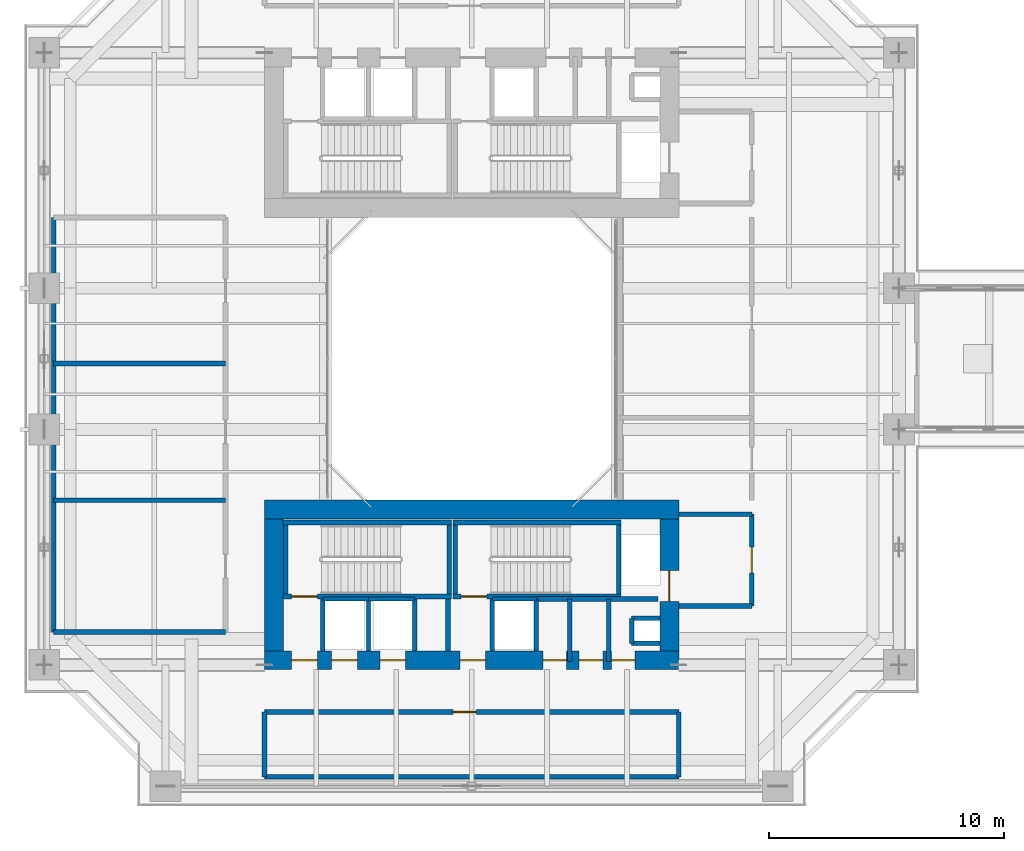
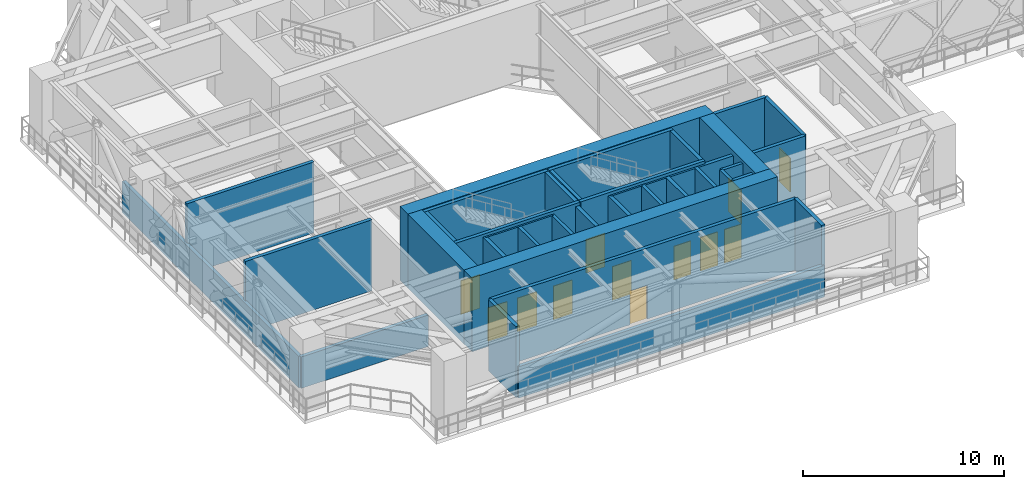
# One storey, part 17 of 25: 38 walls, 12 doors, 12 openings.
"""IFC4 building model written with IfcOpenShell, lengths in metres."""

from ifc_helpers import new_model, si_unit, direction, frame, frame_2d, origin, place, context, subcontext, project, spatial, rectangle, extrude, source, transform, mapped, material, layer, layer_set, type_object, element, fill, save


model = new_model("IFC4")

# Units and contexts
model_context = context("Model", 3, precision=1e-05, world=origin(), true_north=direction((0.0, 1.0)))
body_context = subcontext(model_context, "Body", "Model", "MODEL_VIEW")
ifc_project = project(units=[si_unit("LENGTHUNIT", "METRE"), si_unit("AREAUNIT", "SQUARE_METRE"), si_unit("VOLUMEUNIT", "CUBIC_METRE"), si_unit("PLANEANGLEUNIT", "RADIAN"), si_unit("MASSUNIT", "GRAM", prefix="KILO"), si_unit("THERMODYNAMICTEMPERATUREUNIT", "KELVIN"), si_unit("POWERUNIT", "WATT")], contexts=[model_context])

# Site, building, storey
site_placement = place(None, origin())
site = spatial("IfcSite", under=ifc_project, at=site_placement, CompositionType="ELEMENT")
building_placement = place(site_placement, origin())
building = spatial("IfcBuilding", under=site, at=building_placement, Name="Qiaomeng Ring Towers", CompositionType="ELEMENT")
storey_placement = place(building_placement, frame((0.0, 0.0, 92.5)))
storey = spatial("IfcBuildingStorey", under=building, at=storey_placement, Name="L26", CompositionType="ELEMENT", Elevation=92.5)

# Walls
ifc_material_1 = material(Name="Autoclaved aerated concrete block", Category="concrete")
ifc_layer_1 = layer(ifc_material_1, 0.199951171875, Name="Autoclaved aerated concrete block")
ifc_layer_set_1 = layer_set([ifc_layer_1], Name="Autoclaved aerated concrete block")
wall_type_1 = type_object("IfcWallType", Name="ARC-WL-PW1", PredefinedType="PARTITIONING", material=ifc_layer_set_1)
for number, where, z_axis, x_axis, name in (
    (1, (27.800048828125, 16.39990234375, 0.0), (0.0, 0.0, 1.0), (1.0, 0.0, 0.0), "L26 Interior Wall PW1"),
    (2, (27.800048828125, 12.5, 0.0), (0.0, 0.0, 1.0), (1.0, 0.0, 0.0), "L26 Interior Wall PW1"),
):
    element("IfcWall", number, at=place(storey_placement, frame(where, z_axis=z_axis, x_axis=x_axis)), inside=storey, type_object=wall_type_1, Name=name, PredefinedType="PARTITIONING", context=body_context, shape_type="SweptSolid", body=[
        extrude(rectangle(XDim=3.099853515625, YDim=0.199951171875, at=frame_2d((1.5498046875, 0.0))), origin(), (0.0, 0.0, 1.0), 4.320068359375),
    ])

# Wall, opening, door
wall_1_placement = place(storey_placement, frame((30.89990234375, 12.5, 0.0), z_axis=(0.0, 0.0, 1.0), x_axis=(0.0, 1.0, 0.0)))
wall_1 = element("IfcWall", 3, at=wall_1_placement, inside=storey, type_object=wall_type_1, Name="L26 Interior Wall PW1", PredefinedType="PARTITIONING", context=body_context, shape_type="SweptSolid", body=[
    extrude(rectangle(XDim=3.89990234375, YDim=0.199951171875, at=frame_2d((1.949951171875, 0.0))), origin(), (0.0, 0.0, 1.0), 4.320068359375),
])
opening_1_placement = place(wall_1_placement, frame((1.39990234375, 0.0, 0.0)))
opening_1 = element("IfcOpeningElement", 4, at=opening_1_placement, cuts=wall_1, Name="Opening FD3", PredefinedType="OPENING", context=body_context, shape_type="SweptSolid", body=[
    extrude(rectangle(XDim=1.10009765625, YDim=2.050048828125, at=frame_2d((0.550048828125, 1.02490234375))), frame((0.0, 0.10986328125, 0.0), z_axis=(0.0, -1.0, 0.0), x_axis=(1.0, 0.0, 0.0)), (0.0, 0.0, 1.0), 0.219970703125),
])
ifc_material_2 = material(Name="Galvanised steel", Category="steel")
door_type_1 = type_object("IfcDoorType", Name="ARC-DR-FD3", OperationType="NOTDEFINED", PredefinedType="DOOR", material=ifc_material_2)
shared_shape_1 = source(origin(), body_context, "Body", "SweptSolid", [
    extrude(rectangle(XDim=1.10009765625, YDim=2.050048828125, at=frame_2d((0.550048828125, 1.02490234375))), frame((0.0, 0.02490234375, 0.0), z_axis=(0.0, -1.0, 0.0), x_axis=(1.0, 0.0, 0.0)), (0.0, 0.0, 1.0), 0.050048828125),
])
door_1_placement = place(opening_1_placement, origin())
door_1 = element("IfcDoor", 5, at=door_1_placement, inside=storey, type_object=door_type_1, Name="L26 South FF Lobby Door", OperationType="SINGLE_SWING_RIGHT", OverallHeight=2.050048828125, OverallWidth=1.10009765625, PredefinedType="DOOR", context=body_context, shape_type="MappedRepresentation", body=[
    mapped(shared_shape_1, transform((0.0, 0.0, 0.0), x_axis=(1.0, 0.0, 0.0), y_axis=(0.0, 1.0, 0.0), z_axis=(0.0, 0.0, 1.0), scale=1.0)),
])
fill(opening_1, door_1)

# Walls
for number, where, z_axis, x_axis, name in (
    (6, (12.679931640625, 10.60009765625, 0.0), (0.0, 0.0, 1.0), (0.0, 1.0, 0.0), "L26 Interior Wall PW1"),
    (7, (18.0, 10.60009765625, 0.0), (0.0, 0.0, 1.0), (0.0, 1.0, 0.0), "L26 Interior Wall PW1"),
    (8, (19.8798828125, 10.60009765625, 0.0), (0.0, 0.0, 1.0), (0.0, 1.0, 0.0), "L26 Interior Wall PW1"),
):
    element("IfcWall", number, at=place(storey_placement, frame(where, z_axis=z_axis, x_axis=x_axis)), inside=storey, type_object=wall_type_1, Name=name, PredefinedType="PARTITIONING", context=body_context, shape_type="SweptSolid", body=[
        extrude(rectangle(XDim=2.2099609375, YDim=0.199951171875, at=frame_2d((1.10498046875, 0.0))), origin(), (0.0, 0.0, 1.0), 4.320068359375),
    ])
wall_2_placement = place(storey_placement, frame((24.820068359375, 10.14990234375, 0.0), z_axis=(0.0, 0.0, 1.0), x_axis=(0.0, 1.0, 0.0)))
element("IfcWall", 9, at=wall_2_placement, inside=storey, type_object=wall_type_1, Name="L26 Interior Wall PW1", PredefinedType="PARTITIONING", context=body_context, shape_type="SweptSolid", body=[
    extrude(rectangle(XDim=2.650146484375, YDim=0.199951171875, at=frame_2d((1.3251953125, 0.0))), origin(), (0.0, 0.0, 1.0), 4.320068359375),
])
wall_3_placement = place(storey_placement, frame((21.75, 10.60009765625, 0.0), z_axis=(0.0, 0.0, 1.0), x_axis=(0.0, 1.0, 0.0)))
element("IfcWall", 10, at=wall_3_placement, inside=storey, type_object=wall_type_1, Name="L26 Interior Wall PW1", PredefinedType="PARTITIONING", context=body_context, shape_type="SweptSolid", body=[
    extrude(rectangle(XDim=2.199951171875, YDim=0.199951171875, at=frame_2d((1.10009765625, 0.0))), origin(), (0.0, 0.0, 1.0), 4.320068359375),
])
wall_4_placement = place(storey_placement, frame((23.169921875, 10.14990234375, 0.0), z_axis=(0.0, 0.0, 1.0), x_axis=(0.0, 1.0, 0.0)))
element("IfcWall", 11, at=wall_4_placement, inside=storey, type_object=wall_type_1, Name="L26 Interior Wall PW1", PredefinedType="PARTITIONING", context=body_context, shape_type="SweptSolid", body=[
    extrude(rectangle(XDim=2.650146484375, YDim=0.199951171875, at=frame_2d((1.3251953125, 0.0))), origin(), (0.0, 0.0, 1.0), 4.320068359375),
])
wall_5_placement = place(storey_placement, frame((21.75, 12.800048828125, 0.0), z_axis=(0.0, 0.0, 1.0), x_axis=(1.0, 0.0, 0.0)))
element("IfcWall", 12, at=wall_5_placement, inside=storey, type_object=wall_type_1, Name="L26 Interior Wall PW1", PredefinedType="PARTITIONING", context=body_context, shape_type="SweptSolid", body=[
    extrude(rectangle(XDim=5.169921875, YDim=0.199951171875, at=frame_2d((2.5849609375, 0.0))), origin(), (0.0, 0.0, 1.0), 4.320068359375),
])

# Wall, opening, door
wall_6_placement = place(storey_placement, frame((10.199951171875, 8.0, 0.0), z_axis=(0.0, 0.0, 1.0), x_axis=(1.0, 0.0, 0.0)))
wall_6 = element("IfcWall", 13, at=wall_6_placement, inside=storey, type_object=wall_type_1, Name="L26 Interior Wall PW1", PredefinedType="PARTITIONING", context=body_context, shape_type="SweptSolid", body=[
    extrude(rectangle(XDim=17.60009765625, YDim=0.199951171875, at=frame_2d((8.800048828125, 0.0))), origin(), (0.0, 0.0, 1.0), 4.320068359375),
])
opening_2_placement = place(wall_6_placement, frame((8.0, 0.0, 0.0)))
opening_2 = element("IfcOpeningElement", 14, at=opening_2_placement, cuts=wall_6, Name="Opening FD1", PredefinedType="OPENING", context=body_context, shape_type="SweptSolid", body=[
    extrude(rectangle(XDim=1.0, YDim=2.050048828125, at=frame_2d((0.5, 1.02490234375))), frame((0.0, 0.10986328125, 0.0), z_axis=(0.0, -1.0, 0.0), x_axis=(1.0, 0.0, 0.0)), (0.0, 0.0, 1.0), 0.219970703125),
])
door_type_2 = type_object("IfcDoorType", Name="ARC-DR-FD1", OperationType="NOTDEFINED", PredefinedType="DOOR", material=ifc_material_2)
shared_shape_2 = source(origin(), body_context, "Body", "SweptSolid", [
    extrude(rectangle(XDim=1.0, YDim=2.050048828125, at=frame_2d((0.5, 1.02490234375))), frame((0.0, 0.02490234375, 0.0), z_axis=(0.0, -1.0, 0.0), x_axis=(1.0, 0.0, 0.0)), (0.0, 0.0, 1.0), 0.050048828125),
])
door_2_placement = place(opening_2_placement, origin())
door_2 = element("IfcDoor", 15, at=door_2_placement, inside=storey, type_object=door_type_2, Name="L26 Door FD1", OperationType="SINGLE_SWING_RIGHT", OverallHeight=2.050048828125, OverallWidth=1.0, PredefinedType="DOOR", context=body_context, shape_type="MappedRepresentation", body=[
    mapped(shared_shape_2, transform((0.0, 0.0, 0.0), x_axis=(1.0, 0.0, 0.0), y_axis=(0.0, 1.0, 0.0), z_axis=(0.0, 0.0, 1.0), scale=1.0)),
])
fill(opening_2, door_2)

# Walls
wall_7_placement = place(storey_placement, frame((1.25, 11.39990234375, 0.0), z_axis=(0.0, 0.0, 1.0), x_axis=(1.0, 0.0, 0.0)))
element("IfcWall", 16, at=wall_7_placement, inside=storey, type_object=wall_type_1, Name="L26 Interior Wall PW1", PredefinedType="PARTITIONING", context=body_context, shape_type="SweptSolid", body=[
    extrude(rectangle(XDim=7.300048828125, YDim=0.199951171875, at=frame_2d((3.64990234375, 0.0))), origin(), (0.0, 0.0, 1.0), 1.9150390625),
])
for number, where, z_axis, x_axis, name in (
    (17, (1.25, 17.0, 0.0), (0.0, 0.0, 1.0), (1.0, 0.0, 0.0), "L26 Interior Wall PW1"),
    (18, (1.25, 22.800048828125, 0.0), (0.0, 0.0, 1.0), (1.0, 0.0, 0.0), "L26 Interior Wall PW1"),
):
    element("IfcWall", number, at=place(storey_placement, frame(where, z_axis=z_axis, x_axis=x_axis)), inside=storey, type_object=wall_type_1, Name=name, PredefinedType="PARTITIONING", context=body_context, shape_type="SweptSolid", body=[
        extrude(rectangle(XDim=7.300048828125, YDim=0.199951171875, at=frame_2d((3.64990234375, 0.0))), origin(), (0.0, 0.0, 1.0), 4.320068359375),
    ])
wall_8_placement = place(storey_placement, frame((1.25, 11.39990234375, 0.0), z_axis=(0.0, 0.0, 1.0), x_axis=(0.0, 1.0, 0.0)))
element("IfcWall", 19, at=wall_8_placement, inside=storey, type_object=wall_type_1, Name="L26 Interior Wall PW1", PredefinedType="PARTITIONING", context=body_context, shape_type="SweptSolid", body=[
    extrude(rectangle(XDim=17.60009765625, YDim=0.199951171875, at=frame_2d((8.800048828125, 0.0))), origin(), (0.0, 0.0, 1.0), 1.9150390625),
])
for number, where, z_axis, x_axis, name in (
    (20, (10.199951171875, 5.25, 0.0), (0.0, 0.0, 1.0), (0.0, 1.0, 0.0), "L26 Interior Wall PW1"),
    (21, (27.800048828125, 5.25, 0.0), (0.0, 0.0, 1.0), (0.0, 1.0, 0.0), "L26 Interior Wall PW1"),
):
    element("IfcWall", number, at=place(storey_placement, frame(where, z_axis=z_axis, x_axis=x_axis)), inside=storey, type_object=wall_type_1, Name=name, PredefinedType="PARTITIONING", context=body_context, shape_type="SweptSolid", body=[
        extrude(rectangle(XDim=2.75, YDim=0.199951171875, at=frame_2d((1.375, 0.0))), origin(), (0.0, 0.0, 1.0), 4.320068359375),
    ])
wall_9_placement = place(storey_placement, frame((10.199951171875, 5.25, 0.0), z_axis=(0.0, 0.0, 1.0), x_axis=(1.0, 0.0, 0.0)))
element("IfcWall", 22, at=wall_9_placement, inside=storey, type_object=wall_type_1, Name="L26 Interior Wall PW1", PredefinedType="PARTITIONING", context=body_context, shape_type="SweptSolid", body=[
    extrude(rectangle(XDim=17.60009765625, YDim=0.199951171875, at=frame_2d((8.800048828125, 0.0))), origin(), (0.0, 0.0, 1.0), 1.9150390625),
])
ifc_material_3 = material(Name="Concrete C40", Category="concrete")
ifc_layer_2 = layer(ifc_material_3, 0.199951171875, Name="Concrete C40")
ifc_layer_set_2 = layer_set([ifc_layer_2], Name="Concrete C40")
wall_type_2 = type_object("IfcWallType", Name="STR-WL-STSHAFT", PredefinedType="SHEAR", material=ifc_layer_set_2)
wall_10_placement = place(storey_placement, frame((12.679931640625, 12.800048828125, 0.0), z_axis=(0.0, 0.0, 1.0), x_axis=(1.0, 0.0, 0.0)))
element("IfcWall", 23, at=wall_10_placement, inside=storey, type_object=wall_type_2, Name="L26 Lift LP6 Shaft Back Wall", PredefinedType="SHEAR", context=body_context, shape_type="SweptSolid", body=[
    extrude(rectangle(XDim=1.940185546875, YDim=0.179931640625, at=frame_2d((0.97021484375, 0.0))), origin(), (0.0, 0.0, 1.0), 4.320068359375),
])
wall_11_placement = place(storey_placement, frame((14.6201171875, 10.60009765625, 0.0), z_axis=(0.0, 0.0, 1.0), x_axis=(0.0, 1.0, 0.0)))
element("IfcWall", 24, at=wall_11_placement, inside=storey, type_object=wall_type_2, Name="L26 Lift LP6-LP4 Shaft Divider Wall", PredefinedType="SHEAR", context=body_context, shape_type="SweptSolid", body=[
    extrude(rectangle(XDim=2.199951171875, YDim=0.179931640625, at=frame_2d((1.10009765625, 0.0))), origin(), (0.0, 0.0, 1.0), 4.320068359375),
])
wall_12_placement = place(storey_placement, frame((25.800048828125, 10.919921875, 0.0), z_axis=(0.0, 0.0, 1.0), x_axis=(0.0, 1.0, 0.0)))
element("IfcWall", 25, at=wall_12_placement, inside=storey, type_object=wall_type_2, Name="L26 Riser RSR1 West Shaft Wall S", PredefinedType="SHEAR", context=body_context, shape_type="SweptSolid", body=[
    extrude(rectangle(XDim=1.06005859375, YDim=0.179931640625, at=frame_2d((0.530029296875, 0.0))), origin(), (0.0, 0.0, 1.0), 4.320068359375),
])
for number, where, z_axis, x_axis, name in (
    (26, (25.800048828125, 11.97998046875, 0.0), (0.0, 0.0, 1.0), (1.0, 0.0, 0.0), "L26 Riser RSR1 North Shaft Wall S"),
    (27, (25.800048828125, 10.919921875, 0.0), (0.0, 0.0, 1.0), (1.0, 0.0, 0.0), "L26 Riser RSR1 South Shaft Wall S"),
):
    element("IfcWall", number, at=place(storey_placement, frame(where, z_axis=z_axis, x_axis=x_axis)), inside=storey, type_object=wall_type_2, Name=name, PredefinedType="SHEAR", context=body_context, shape_type="SweptSolid", body=[
        extrude(rectangle(XDim=1.199951171875, YDim=0.179931640625, at=frame_2d((0.60009765625, 0.0))), origin(), (0.0, 0.0, 1.0), 4.320068359375),
    ])
wall_13_placement = place(storey_placement, frame((14.6201171875, 12.800048828125, 0.0), z_axis=(0.0, 0.0, 1.0), x_axis=(1.0, 0.0, 0.0)))
element("IfcWall", 28, at=wall_13_placement, inside=storey, type_object=wall_type_2, Name="L26 Lift LP4 Shaft Back Wall", PredefinedType="SHEAR", context=body_context, shape_type="SweptSolid", body=[
    extrude(rectangle(XDim=1.9599609375, YDim=0.179931640625, at=frame_2d((0.97998046875, 0.0))), origin(), (0.0, 0.0, 1.0), 4.320068359375),
])
wall_14_placement = place(storey_placement, frame((16.580078125, 10.60009765625, 0.0), z_axis=(0.0, 0.0, 1.0), x_axis=(0.0, 1.0, 0.0)))
element("IfcWall", 29, at=wall_14_placement, inside=storey, type_object=wall_type_2, Name="L26 Lift LP4 East Shaft Wall", PredefinedType="SHEAR", context=body_context, shape_type="SweptSolid", body=[
    extrude(rectangle(XDim=2.199951171875, YDim=0.179931640625, at=frame_2d((1.10009765625, 0.0))), origin(), (0.0, 0.0, 1.0), 4.320068359375),
])
wall_15_placement = place(storey_placement, frame((19.8798828125, 12.800048828125, 0.0), z_axis=(0.0, 0.0, 1.0), x_axis=(1.0, 0.0, 0.0)))
element("IfcWall", 30, at=wall_15_placement, inside=storey, type_object=wall_type_2, Name="L26 Lift LP2 Shaft Back Wall", PredefinedType="SHEAR", context=body_context, shape_type="SweptSolid", body=[
    extrude(rectangle(XDim=1.8701171875, YDim=0.179931640625, at=frame_2d((0.93505859375, 0.0))), origin(), (0.0, 0.0, 1.0), 4.320068359375),
])

# Wall, opening, door
wall_16_placement = place(storey_placement, frame((11.0, 12.909912109375, 0.0), z_axis=(0.0, 0.0, 1.0), x_axis=(1.0, 0.0, 0.0)))
wall_16 = element("IfcWall", 31, at=wall_16_placement, inside=storey, type_object=wall_type_2, Name="L26 Stair ST3 South Shaft Shear Wall", PredefinedType="SHEAR", context=body_context, shape_type="SweptSolid", body=[
    extrude(rectangle(XDim=7.14990234375, YDim=0.199951171875, at=frame_2d((3.574951171875, 0.0))), origin(), (0.0, 0.0, 1.0), 4.5),
])
opening_3_placement = place(wall_16_placement, frame((0.35009765625, 0.0, 0.0)))
opening_3 = element("IfcOpeningElement", 32, at=opening_3_placement, cuts=wall_16, Name="Opening FD3", PredefinedType="OPENING", context=body_context, shape_type="SweptSolid", body=[
    extrude(rectangle(XDim=1.10009765625, YDim=2.050048828125, at=frame_2d((0.550048828125, 1.02490234375))), frame((0.0, 0.10986328125, 0.0), z_axis=(0.0, -1.0, 0.0), x_axis=(1.0, 0.0, 0.0)), (0.0, 0.0, 1.0), 0.219970703125),
])
door_3_placement = place(opening_3_placement, frame((1.10009765625, 0.0, 0.0), z_axis=(0.0, 0.0, 1.0), x_axis=(-1.0, 0.0, 0.0)))
door_3 = element("IfcDoor", 33, at=door_3_placement, inside=storey, type_object=door_type_1, Name="L26 Stair ST3 Exit Door", OperationType="SINGLE_SWING_RIGHT", OverallHeight=2.050048828125, OverallWidth=1.10009765625, PredefinedType="DOOR", context=body_context, shape_type="MappedRepresentation", body=[
    mapped(shared_shape_1, transform((0.0, 0.0, 0.0), x_axis=(1.0, 0.0, 0.0), y_axis=(0.0, 1.0, 0.0), z_axis=(0.0, 0.0, 1.0), scale=1.0)),
])
fill(opening_3, door_3)

# Walls
wall_17_placement = place(storey_placement, frame((11.0, 16.050048828125, 0.0), z_axis=(0.0, 0.0, 1.0), x_axis=(1.0, 0.0, 0.0)))
element("IfcWall", 34, at=wall_17_placement, inside=storey, type_object=wall_type_2, Name="L26 Stair ST3 North Shaft Shear Wall", PredefinedType="SHEAR", context=body_context, shape_type="SweptSolid", body=[
    extrude(rectangle(XDim=7.14990234375, YDim=0.199951171875, at=frame_2d((3.574951171875, 0.0))), origin(), (0.0, 0.0, 1.0), 4.5),
])
for number, where, z_axis, x_axis, name in (
    (35, (11.10009765625, 13.010009765625, 0.0), (0.0, 0.0, 1.0), (0.0, 1.0, 0.0), "L26 Stair ST3 West Shaft Shear Wall"),
    (36, (18.050048828125, 13.010009765625, 0.0), (0.0, 0.0, 1.0), (0.0, 1.0, 0.0), "L26 Stair ST3 East Shaft Shear Wall"),
):
    element("IfcWall", number, at=place(storey_placement, frame(where, z_axis=z_axis, x_axis=x_axis)), inside=storey, type_object=wall_type_2, Name=name, PredefinedType="SHEAR", context=body_context, shape_type="SweptSolid", body=[
        extrude(rectangle(XDim=2.93994140625, YDim=0.199951171875, at=frame_2d((1.469970703125, 0.0))), origin(), (0.0, 0.0, 1.0), 4.5),
    ])

# Wall, opening, door
wall_18_placement = place(storey_placement, frame((18.199951171875, 12.909912109375, 0.0), z_axis=(0.0, 0.0, 1.0), x_axis=(1.0, 0.0, 0.0)))
wall_18 = element("IfcWall", 37, at=wall_18_placement, inside=storey, type_object=wall_type_2, Name="L26 Stair ST4 South Shaft Shear Wall", PredefinedType="SHEAR", context=body_context, shape_type="SweptSolid", body=[
    extrude(rectangle(XDim=7.150146484375, YDim=0.199951171875, at=frame_2d((3.5751953125, 0.0))), origin(), (0.0, 0.0, 1.0), 4.5),
])
opening_4_placement = place(wall_18_placement, frame((0.35009765625, 0.0, 0.0)))
opening_4 = element("IfcOpeningElement", 38, at=opening_4_placement, cuts=wall_18, Name="Opening FD3", PredefinedType="OPENING", context=body_context, shape_type="SweptSolid", body=[
    extrude(rectangle(XDim=1.10009765625, YDim=2.050048828125, at=frame_2d((0.550048828125, 1.02490234375))), frame((0.0, 0.10986328125, 0.0), z_axis=(0.0, -1.0, 0.0), x_axis=(1.0, 0.0, 0.0)), (0.0, 0.0, 1.0), 0.219970703125),
])
door_4_placement = place(opening_4_placement, frame((1.10009765625, 0.0, 0.0), z_axis=(0.0, 0.0, 1.0), x_axis=(-1.0, 0.0, 0.0)))
door_4 = element("IfcDoor", 39, at=door_4_placement, inside=storey, type_object=door_type_1, Name="L26 Stair ST4 Exit Door", OperationType="SINGLE_SWING_RIGHT", OverallHeight=2.050048828125, OverallWidth=1.10009765625, PredefinedType="DOOR", context=body_context, shape_type="MappedRepresentation", body=[
    mapped(shared_shape_1, transform((0.0, 0.0, 0.0), x_axis=(1.0, 0.0, 0.0), y_axis=(0.0, 1.0, 0.0), z_axis=(0.0, 0.0, 1.0), scale=1.0)),
])
fill(opening_4, door_4)

# Walls
wall_19_placement = place(storey_placement, frame((18.199951171875, 16.050048828125, 0.0), z_axis=(0.0, 0.0, 1.0), x_axis=(1.0, 0.0, 0.0)))
element("IfcWall", 40, at=wall_19_placement, inside=storey, type_object=wall_type_2, Name="L26 Stair ST4 North Shaft Shear Wall", PredefinedType="SHEAR", context=body_context, shape_type="SweptSolid", body=[
    extrude(rectangle(XDim=7.150146484375, YDim=0.199951171875, at=frame_2d((3.5751953125, 0.0))), origin(), (0.0, 0.0, 1.0), 4.5),
])
for number, where, z_axis, x_axis, name in (
    (41, (18.300048828125, 13.010009765625, 0.0), (0.0, 0.0, 1.0), (0.0, 1.0, 0.0), "L26 Stair ST4 West Shaft Shear Wall"),
    (42, (25.25, 13.010009765625, 0.0), (0.0, 0.0, 1.0), (0.0, 1.0, 0.0), "L26 Stair ST4 East Shaft Shear Wall"),
):
    element("IfcWall", number, at=place(storey_placement, frame(where, z_axis=z_axis, x_axis=x_axis)), inside=storey, type_object=wall_type_2, Name=name, PredefinedType="SHEAR", context=body_context, shape_type="SweptSolid", body=[
        extrude(rectangle(XDim=2.93994140625, YDim=0.199951171875, at=frame_2d((1.469970703125, 0.0))), origin(), (0.0, 0.0, 1.0), 4.5),
    ])

# Wall, openings, doors
ifc_material_4 = material(Name="Concrete C60", Category="concrete")
ifc_layer_3 = layer(ifc_material_4, 0.800048828125, Name="Concrete C60")
ifc_layer_set_3 = layer_set([ifc_layer_3], Name="Concrete C60")
wall_type_3 = type_object("IfcWallType", Name="STR-WL-SW1", PredefinedType="SHEAR", material=ifc_layer_set_3)
wall_20_placement = place(storey_placement, frame((10.199951171875, 10.199951171875, 0.0), z_axis=(0.0, 0.0, 1.0), x_axis=(1.0, 0.0, 0.0)))
wall_20 = element("IfcWall", 43, at=wall_20_placement, inside=storey, type_object=wall_type_3, Name="L26 T1SC south core shear wall", PredefinedType="SHEAR", context=body_context, shape_type="SweptSolid", body=[
    extrude(rectangle(XDim=17.60009765625, YDim=0.800048828125, at=frame_2d((8.800048828125, 0.0))), origin(), (0.0, 0.0, 1.0), 4.5),
])
opening_5_placement = place(wall_20_placement, frame((1.14990234375, 0.0, 0.0)))
opening_5 = element("IfcOpeningElement", 44, at=opening_5_placement, cuts=wall_20, Name="Opening FD3", PredefinedType="OPENING", context=body_context, shape_type="SweptSolid", body=[
    extrude(rectangle(XDim=1.10009765625, YDim=2.050048828125, at=frame_2d((0.550048828125, 1.02490234375))), frame((0.0, 0.409912109375, 0.0), z_axis=(0.0, -1.0, 0.0), x_axis=(1.0, 0.0, 0.0)), (0.0, 0.0, 1.0), 0.820068359375),
])
opening_6_placement = place(wall_20_placement, frame((8.300048828125, 0.0, 0.0)))
opening_6 = element("IfcOpeningElement", 45, at=opening_6_placement, cuts=wall_20, Name="Opening FD3", PredefinedType="OPENING", context=body_context, shape_type="SweptSolid", body=[
    extrude(rectangle(XDim=1.10009765625, YDim=2.050048828125, at=frame_2d((0.550048828125, 1.02490234375))), frame((0.0, 0.409912109375, 0.0), z_axis=(0.0, -1.0, 0.0), x_axis=(1.0, 0.0, 0.0)), (0.0, 0.0, 1.0), 0.820068359375),
])
opening_7_placement = place(wall_20_placement, frame((4.89990234375, 0.0, 0.0)))
opening_7 = element("IfcOpeningElement", 46, at=opening_7_placement, cuts=wall_20, Name="Opening LD1", PredefinedType="OPENING", context=body_context, shape_type="SweptSolid", body=[
    extrude(rectangle(XDim=1.10009765625, YDim=2.050048828125, at=frame_2d((0.550048828125, 1.02490234375))), frame((0.0, 0.409912109375, 0.0), z_axis=(0.0, -1.0, 0.0), x_axis=(1.0, 0.0, 0.0)), (0.0, 0.0, 1.0), 0.820068359375),
])
opening_8_placement = place(wall_20_placement, frame((2.85009765625, 0.0, 0.0)))
opening_8 = element("IfcOpeningElement", 47, at=opening_8_placement, cuts=wall_20, Name="Opening LD1", PredefinedType="OPENING", context=body_context, shape_type="SweptSolid", body=[
    extrude(rectangle(XDim=1.10009765625, YDim=2.050048828125, at=frame_2d((0.550048828125, 1.02490234375))), frame((0.0, 0.409912109375, 0.0), z_axis=(0.0, -1.0, 0.0), x_axis=(1.0, 0.0, 0.0)), (0.0, 0.0, 1.0), 0.820068359375),
])
opening_9_placement = place(wall_20_placement, frame((14.739990234375, 0.0, 0.0)))
opening_9 = element("IfcOpeningElement", 48, at=opening_9_placement, cuts=wall_20, Name="Opening FD1", PredefinedType="OPENING", context=body_context, shape_type="SweptSolid", body=[
    extrude(rectangle(XDim=1.0, YDim=2.050048828125, at=frame_2d((0.5, 1.02490234375))), frame((0.0, 0.409912109375, 0.0), z_axis=(0.0, -1.0, 0.0), x_axis=(1.0, 0.0, 0.0)), (0.0, 0.0, 1.0), 0.820068359375),
])
opening_10_placement = place(wall_20_placement, frame((11.8349609375, 0.0, 0.0)))
opening_10 = element("IfcOpeningElement", 49, at=opening_10_placement, cuts=wall_20, Name="Opening FD1", PredefinedType="OPENING", context=body_context, shape_type="SweptSolid", body=[
    extrude(rectangle(XDim=1.0, YDim=2.050048828125, at=frame_2d((0.5, 1.02490234375))), frame((0.0, 0.409912109375, 0.0), z_axis=(0.0, -1.0, 0.0), x_axis=(1.0, 0.0, 0.0)), (0.0, 0.0, 1.0), 0.820068359375),
])
opening_11_placement = place(wall_20_placement, frame((13.3701171875, 0.0, 0.0)))
opening_11 = element("IfcOpeningElement", 50, at=opening_11_placement, cuts=wall_20, Name="Opening FD1", PredefinedType="OPENING", context=body_context, shape_type="SweptSolid", body=[
    extrude(rectangle(XDim=1.0, YDim=2.050048828125, at=frame_2d((0.5, 1.02490234375))), frame((0.0, 0.409912109375, 0.0), z_axis=(0.0, -1.0, 0.0), x_axis=(1.0, 0.0, 0.0)), (0.0, 0.0, 1.0), 0.820068359375),
])
door_5_placement = place(opening_5_placement, origin())
door_5 = element("IfcDoor", 51, at=door_5_placement, inside=storey, type_object=door_type_1, Name="L26 Stair ST3 Lobby Door", OperationType="SINGLE_SWING_LEFT", OverallHeight=2.050048828125, OverallWidth=1.10009765625, PredefinedType="DOOR", context=body_context, shape_type="MappedRepresentation", body=[
    mapped(shared_shape_1, transform((0.0, 0.0, 0.0), x_axis=(1.0, 0.0, 0.0), y_axis=(0.0, 1.0, 0.0), z_axis=(0.0, 0.0, 1.0), scale=1.0)),
])
fill(opening_5, door_5)
door_6_placement = place(opening_6_placement, origin())
door_6 = element("IfcDoor", 52, at=door_6_placement, inside=storey, type_object=door_type_1, Name="L26 Stair ST4 Lobby Door", OperationType="SINGLE_SWING_LEFT", OverallHeight=2.050048828125, OverallWidth=1.10009765625, PredefinedType="DOOR", context=body_context, shape_type="MappedRepresentation", body=[
    mapped(shared_shape_1, transform((0.0, 0.0, 0.0), x_axis=(1.0, 0.0, 0.0), y_axis=(0.0, 1.0, 0.0), z_axis=(0.0, 0.0, 1.0), scale=1.0)),
])
fill(opening_6, door_6)
ifc_material_5 = material(Name="Stainless steel 316", Category="steel")
door_type_3 = type_object("IfcDoorType", Name="ARC-DR-LD1", OperationType="NOTDEFINED", PredefinedType="DOOR", material=ifc_material_5)
door_7_placement = place(opening_7_placement, origin())
door_7 = element("IfcDoor", 53, at=door_7_placement, inside=storey, type_object=door_type_3, Name="L26 Mid-Zone Lift LP4 Landing Door", OperationType="SLIDING_TO_RIGHT", OverallHeight=2.050048828125, OverallWidth=1.10009765625, PredefinedType="DOOR", context=body_context, shape_type="MappedRepresentation", body=[
    mapped(shared_shape_1, transform((0.0, 0.0, 0.0), x_axis=(1.0, 0.0, 0.0), y_axis=(0.0, 1.0, 0.0), z_axis=(0.0, 0.0, 1.0), scale=1.0)),
])
fill(opening_7, door_7)
door_8_placement = place(opening_8_placement, origin())
door_8 = element("IfcDoor", 54, at=door_8_placement, inside=storey, type_object=door_type_3, Name="L26 High-Zone Lift LP6 Landing Door", OperationType="SLIDING_TO_RIGHT", OverallHeight=2.050048828125, OverallWidth=1.10009765625, PredefinedType="DOOR", context=body_context, shape_type="MappedRepresentation", body=[
    mapped(shared_shape_1, transform((0.0, 0.0, 0.0), x_axis=(1.0, 0.0, 0.0), y_axis=(0.0, 1.0, 0.0), z_axis=(0.0, 0.0, 1.0), scale=1.0)),
])
fill(opening_8, door_8)
door_9_placement = place(opening_9_placement, origin())
door_9 = element("IfcDoor", 55, at=door_9_placement, inside=storey, type_object=door_type_2, Name="L26 South Electrical Riser Door", OperationType="SINGLE_SWING_RIGHT", OverallHeight=2.050048828125, OverallWidth=1.0, PredefinedType="DOOR", context=body_context, shape_type="MappedRepresentation", body=[
    mapped(shared_shape_2, transform((0.0, 0.0, 0.0), x_axis=(1.0, 0.0, 0.0), y_axis=(0.0, 1.0, 0.0), z_axis=(0.0, 0.0, 1.0), scale=1.0)),
])
fill(opening_9, door_9)
door_10_placement = place(opening_10_placement, origin())
door_10 = element("IfcDoor", 56, at=door_10_placement, inside=storey, type_object=door_type_2, Name="L26 South Cleaners Cupboard Door", OperationType="SINGLE_SWING_LEFT", OverallHeight=2.050048828125, OverallWidth=1.0, PredefinedType="DOOR", context=body_context, shape_type="MappedRepresentation", body=[
    mapped(shared_shape_2, transform((0.0, 0.0, 0.0), x_axis=(1.0, 0.0, 0.0), y_axis=(0.0, 1.0, 0.0), z_axis=(0.0, 0.0, 1.0), scale=1.0)),
])
fill(opening_10, door_10)
door_11_placement = place(opening_11_placement, origin())
door_11 = element("IfcDoor", 57, at=door_11_placement, inside=storey, type_object=door_type_2, Name="L26 South Tea Pantry Door", OperationType="SINGLE_SWING_RIGHT", OverallHeight=2.050048828125, OverallWidth=1.0, PredefinedType="DOOR", context=body_context, shape_type="MappedRepresentation", body=[
    mapped(shared_shape_2, transform((0.0, 0.0, 0.0), x_axis=(1.0, 0.0, 0.0), y_axis=(0.0, 1.0, 0.0), z_axis=(0.0, 0.0, 1.0), scale=1.0)),
])
fill(opening_11, door_11)

# Walls
wall_21_placement = place(storey_placement, frame((10.199951171875, 16.60009765625, 0.0), z_axis=(0.0, 0.0, 1.0), x_axis=(1.0, 0.0, 0.0)))
element("IfcWall", 58, at=wall_21_placement, inside=storey, type_object=wall_type_3, Name="L26 T1SC north core shear wall", PredefinedType="SHEAR", context=body_context, shape_type="SweptSolid", body=[
    extrude(rectangle(XDim=17.60009765625, YDim=0.800048828125, at=frame_2d((8.800048828125, 0.0))), origin(), (0.0, 0.0, 1.0), 4.5),
])
wall_22_placement = place(storey_placement, frame((10.60009765625, 10.60009765625, 0.0), z_axis=(0.0, 0.0, 1.0), x_axis=(0.0, 1.0, 0.0)))
element("IfcWall", 59, at=wall_22_placement, inside=storey, type_object=wall_type_3, Name="L26 T1SC west core shear wall", PredefinedType="SHEAR", context=body_context, shape_type="SweptSolid", body=[
    extrude(rectangle(XDim=5.599853515625, YDim=0.800048828125, at=frame_2d((2.7998046875, 0.0))), origin(), (0.0, 0.0, 1.0), 4.5),
])

# Wall, opening, door
wall_23_placement = place(storey_placement, frame((27.39990234375, 10.60009765625, 0.0), z_axis=(0.0, 0.0, 1.0), x_axis=(0.0, 1.0, 0.0)))
wall_23 = element("IfcWall", 60, at=wall_23_placement, inside=storey, type_object=wall_type_3, Name="L26 T1SC east core shear wall", PredefinedType="SHEAR", context=body_context, shape_type="SweptSolid", body=[
    extrude(rectangle(XDim=5.599853515625, YDim=0.800048828125, at=frame_2d((2.7998046875, 0.0))), origin(), (0.0, 0.0, 1.0), 4.5),
])
opening_12_placement = place(wall_23_placement, frame((2.10009765625, 0.0, 0.0)))
opening_12 = element("IfcOpeningElement", 61, at=opening_12_placement, cuts=wall_23, Name="Opening LD2", PredefinedType="OPENING", context=body_context, shape_type="SweptSolid", body=[
    extrude(rectangle(XDim=1.300048828125, YDim=2.050048828125, at=frame_2d((0.64990234375, 1.02490234375))), frame((0.0, 0.409912109375, 0.0), z_axis=(0.0, -1.0, 0.0), x_axis=(1.0, 0.0, 0.0)), (0.0, 0.0, 1.0), 0.820068359375),
])
door_type_4 = type_object("IfcDoorType", Name="ARC-DR-LD2", OperationType="NOTDEFINED", PredefinedType="DOOR", material=ifc_material_5)
shared_shape_3 = source(origin(), body_context, "Body", "SweptSolid", [
    extrude(rectangle(XDim=1.300048828125, YDim=2.050048828125, at=frame_2d((0.64990234375, 1.02490234375))), frame((0.0, 0.02490234375, 0.0), z_axis=(0.0, -1.0, 0.0), x_axis=(1.0, 0.0, 0.0)), (0.0, 0.0, 1.0), 0.050048828125),
])
door_12_placement = place(opening_12_placement, origin())
door_12 = element("IfcDoor", 62, at=door_12_placement, inside=storey, type_object=door_type_4, Name="L26 Firefighting Lift FL2 Landing Door", OperationType="SLIDING_TO_RIGHT", OverallHeight=2.050048828125, OverallWidth=1.300048828125, PredefinedType="DOOR", context=body_context, shape_type="MappedRepresentation", body=[
    mapped(shared_shape_3, transform((0.0, 0.0, 0.0), x_axis=(1.0, 0.0, 0.0), y_axis=(0.0, 1.0, 0.0), z_axis=(0.0, 0.0, 1.0), scale=1.0)),
])
fill(opening_12, door_12)

save(model, "model.ifc")
